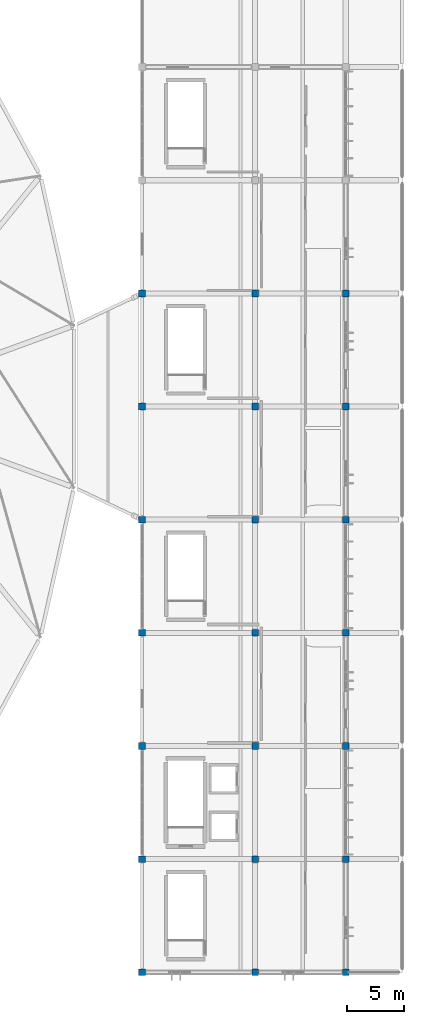
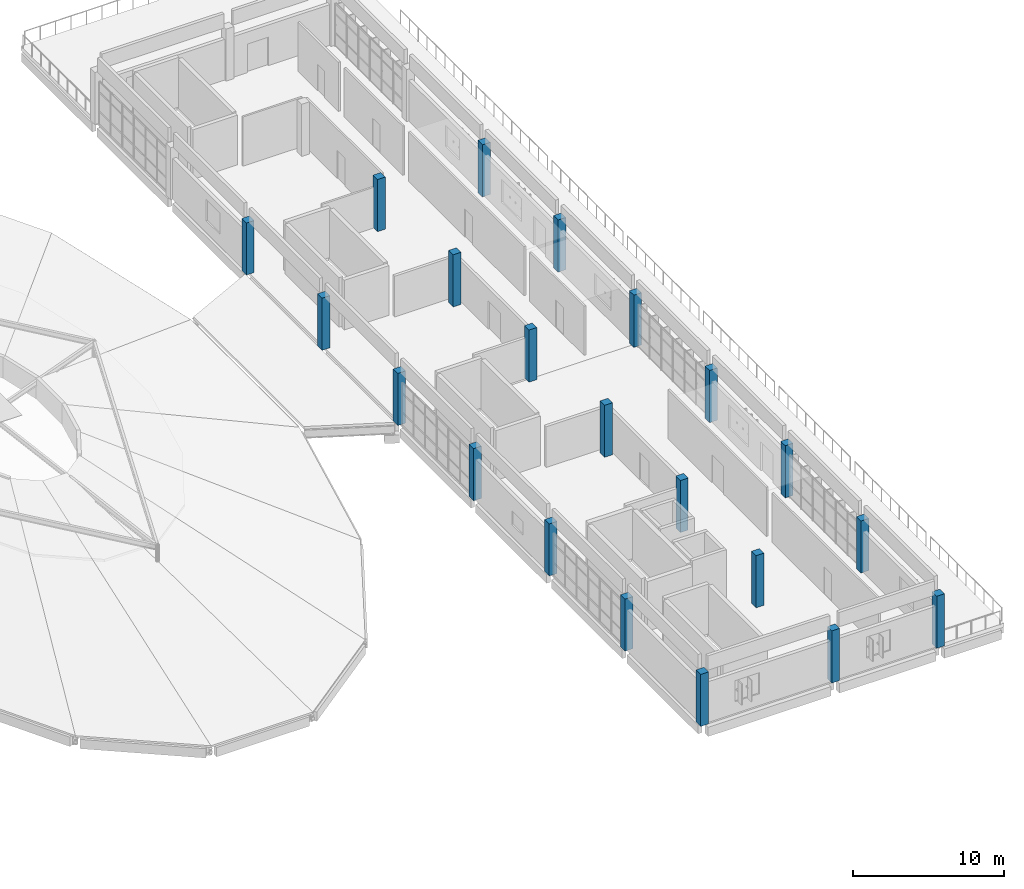
# One storey, part 2 of 39: 21 columns.
"""IFC4 building model written with IfcOpenShell, lengths in metres."""

from ifc_helpers import new_model, si_unit, direction, frame, origin, origin_2d, place, context, subcontext, project, spatial, rectangle, extrude, material, material_profile, profile_set, type_object, element, save


model = new_model("IFC4")

# Units and contexts
model_context = context("Model", 3, precision=1e-05, world=origin(), true_north=direction((0.0, 1.0)))
body_context = subcontext(model_context, "Body", "Model", "MODEL_VIEW")
ifc_project = project(units=[si_unit("LENGTHUNIT", "METRE"), si_unit("AREAUNIT", "SQUARE_METRE"), si_unit("VOLUMEUNIT", "CUBIC_METRE"), si_unit("PLANEANGLEUNIT", "RADIAN"), si_unit("MASSUNIT", "GRAM", prefix="KILO")], contexts=[model_context])

# Site, building, storey
site_placement = place(None, origin())
site = spatial("IfcSite", under=ifc_project, at=site_placement, CompositionType="ELEMENT")
building_placement = place(site_placement, origin())
building = spatial("IfcBuilding", under=site, at=building_placement, Name="Corvandel Quay Wholesale Market", CompositionType="ELEMENT")
storey_placement = place(building_placement, frame((0.0, 0.0, 15.0)))
storey = spatial("IfcBuildingStorey", under=building, at=storey_placement, Name="L03", CompositionType="ELEMENT", Elevation=15.0)

# Columns
ifc_material = material(Name="Precast concrete C45/55", Category="concrete")
ifc_material_profile = material_profile(ifc_material, rectangle(XDim=0.60009765625, YDim=0.60009765625, at=origin_2d()), Name="PC-COL-600x600")
ifc_profile_set = profile_set([ifc_material_profile], Name="Precast concrete C45/55")
column_type = type_object("IfcColumnType", Name="Precast Column C06 600x600", PredefinedType="COLUMN", material=ifc_profile_set)
for number, where, z_axis, x_axis, name in (
    (1, (220.0, 10.0, 0.0), (0.0, 0.0, 1.0), (1.0, 0.0, 0.0), "Column COL-0774"),
    (2, (220.0, 20.0, 0.0), (0.0, 0.0, 1.0), (1.0, 0.0, 0.0), "Column COL-0778"),
    (3, (220.0, 30.0, 0.0), (0.0, 0.0, 1.0), (1.0, 0.0, 0.0), "Column COL-0782"),
    (4, (220.0, 40.0, 0.0), (0.0, 0.0, 1.0), (1.0, 0.0, 0.0), "Column COL-0786"),
    (5, (220.0, 50.0, 0.0), (0.0, 0.0, 1.0), (1.0, 0.0, 0.0), "Column COL-0790"),
    (6, (220.0, 60.0, 0.0), (0.0, 0.0, 1.0), (1.0, 0.0, 0.0), "Column COL-0794"),
    (7, (220.0, 70.0, 0.0), (0.0, 0.0, 1.0), (1.0, 0.0, 0.0), "Column COL-0798"),
    (8, (230.0, 10.0, 0.0), (0.0, 0.0, 1.0), (1.0, 0.0, 0.0), "Column COL-0814"),
    (9, (230.0, 20.0, 0.0), (0.0, 0.0, 1.0), (1.0, 0.0, 0.0), "Column COL-0818"),
    (10, (230.0, 30.0, 0.0), (0.0, 0.0, 1.0), (1.0, 0.0, 0.0), "Column COL-0822"),
    (11, (230.0, 40.0, 0.0), (0.0, 0.0, 1.0), (1.0, 0.0, 0.0), "Column COL-0826"),
    (12, (230.0, 50.0, 0.0), (0.0, 0.0, 1.0), (1.0, 0.0, 0.0), "Column COL-0830"),
    (13, (230.0, 60.0, 0.0), (0.0, 0.0, 1.0), (1.0, 0.0, 0.0), "Column COL-0834"),
    (14, (230.0, 70.0, 0.0), (0.0, 0.0, 1.0), (1.0, 0.0, 0.0), "Column COL-0838"),
    (15, (238.0, 10.0, 0.0), (0.0, 0.0, 1.0), (1.0, 0.0, 0.0), "Column COL-0854"),
    (16, (238.0, 20.0, 0.0), (0.0, 0.0, 1.0), (1.0, 0.0, 0.0), "Column COL-0858"),
    (17, (238.0, 30.0, 0.0), (0.0, 0.0, 1.0), (1.0, 0.0, 0.0), "Column COL-0862"),
    (18, (238.0, 40.0, 0.0), (0.0, 0.0, 1.0), (1.0, 0.0, 0.0), "Column COL-0866"),
    (19, (238.0, 50.0, 0.0), (0.0, 0.0, 1.0), (1.0, 0.0, 0.0), "Column COL-0870"),
    (20, (238.0, 60.0, 0.0), (0.0, 0.0, 1.0), (1.0, 0.0, 0.0), "Column COL-0874"),
    (21, (238.0, 70.0, 0.0), (0.0, 0.0, 1.0), (1.0, 0.0, 0.0), "Column COL-0878"),
):
    element("IfcColumn", number, at=place(storey_placement, frame(where, z_axis=z_axis, x_axis=x_axis)), inside=storey, type_object=column_type, Name=name, PredefinedType="COLUMN", context=body_context, shape_type="SweptSolid", body=[
        extrude(rectangle(XDim=0.60009765625, YDim=0.60009765625, at=origin_2d()), origin(), (0.0, 0.0, 1.0), 4.199951171875),
    ])

save(model, "model.ifc")
